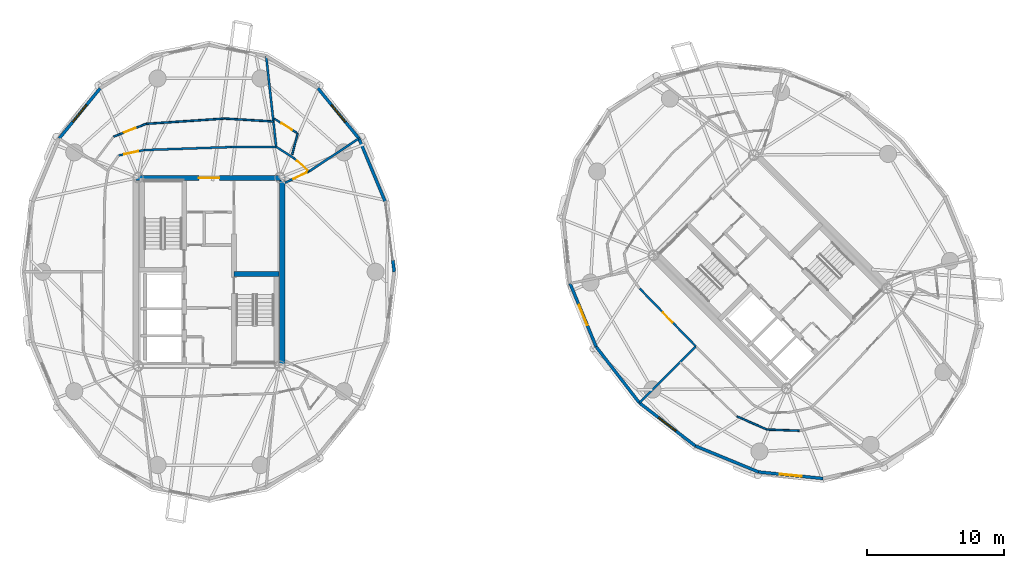
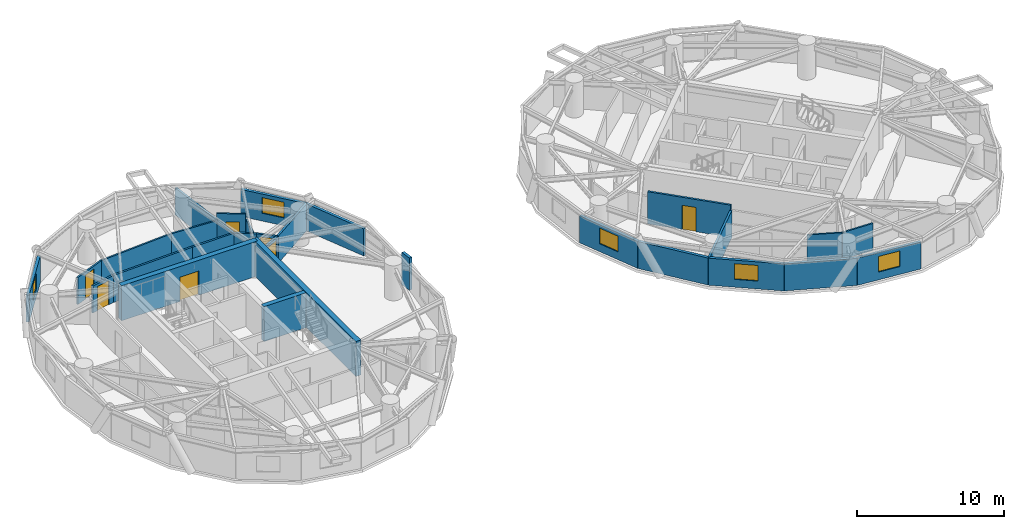
# One storey, part 11 of 17: 29 walls, 7 doors, 5 windows, 12 openings.
"""IFC4 building model written with IfcOpenShell, lengths in metres."""

from ifc_helpers import new_model, si_unit, direction, frame, frame_2d, origin, place, context, subcontext, project, spatial, rectangle, extrude, source, transform, mapped, material, layer, layer_set, type_object, element, fill, save


model = new_model("IFC4")

# Units and contexts
model_context = context("Model", 3, precision=1e-05, world=origin(), true_north=direction((0.0, 1.0)))
body_context = subcontext(model_context, "Body", "Model", "MODEL_VIEW")
ifc_project = project(units=[si_unit("LENGTHUNIT", "METRE"), si_unit("AREAUNIT", "SQUARE_METRE"), si_unit("VOLUMEUNIT", "CUBIC_METRE"), si_unit("PLANEANGLEUNIT", "RADIAN"), si_unit("MASSUNIT", "GRAM", prefix="KILO")], contexts=[model_context])

# Site, building, storey
site_placement = place(None, origin())
site = spatial("IfcSite", under=ifc_project, at=site_placement, CompositionType="ELEMENT")
building_placement = place(site_placement, origin())
building = spatial("IfcBuilding", under=site, at=building_placement, Name="Cununo Teusaquillo Station Towers", CompositionType="ELEMENT")
storey_placement = place(building_placement, frame((0.0, 0.0, 174.8798828125)))
storey = spatial("IfcBuildingStorey", under=building, at=storey_placement, Name="L55", CompositionType="ELEMENT", Elevation=174.8798828125)

# Walls
ifc_material_1 = material(Name="Concrete C50/60", Category="concrete")
ifc_layer_1 = layer(ifc_material_1, 0.35009765625)
ifc_layer_set_1 = layer_set([ifc_layer_1], Name="Concrete C50/60")
wall_type_1 = type_object("IfcWallType", Name="WL-CORE-350", PredefinedType="SHEAR", material=ifc_layer_set_1)
wall_1_placement = place(storey_placement, frame((18.31494140625, 24.344970703125, 0.0), z_axis=(0.0, 0.0, 1.0), x_axis=(1.0, 0.0, 0.0)))
element("IfcWall", 1, at=wall_1_placement, inside=storey, type_object=wall_type_1, Name="L55 Tower A Core Shear Wall ST2N", PredefinedType="SHEAR", context=body_context, shape_type="SweptSolid", body=[
    extrude(rectangle(XDim=3.28515625, YDim=0.35009765625, at=frame_2d((1.642578125, 0.0))), origin(), (0.0, 0.0, 1.0), 2.91015625),
])
ifc_material_2 = material(Name="Concrete C50/60", Category="concrete")
ifc_layer_2 = layer(ifc_material_2, 0.39990234375)
ifc_layer_set_2 = layer_set([ifc_layer_2], Name="Concrete C50/60")
wall_type_2 = type_object("IfcWallType", Name="WL-CORE-400", PredefinedType="SHEAR", material=ifc_layer_set_2)
wall_2_placement = place(storey_placement, frame((21.85009765625, 17.449951171875, 0.0), z_axis=(0.0, 0.0, 1.0), x_axis=(0.0, 1.0, 0.0)))
element("IfcWall", 2, at=wall_2_placement, inside=storey, type_object=wall_type_2, Name="L55 Tower A Core Shear Wall E", PredefinedType="SHEAR", context=body_context, shape_type="SweptSolid", body=[
    extrude(rectangle(XDim=14.10009765625, YDim=0.39990234375, at=frame_2d((7.050048828125, 0.0))), origin(), (0.0, 0.0, 1.0), 2.91015625),
])

# Wall, opening, door
wall_3_placement = place(storey_placement, frame((11.14990234375, 31.35009765625, 0.0), z_axis=(0.0, 0.0, 1.0), x_axis=(1.0, 0.0, 0.0)))
wall_3 = element("IfcWall", 3, at=wall_3_placement, inside=storey, type_object=wall_type_2, Name="L55 Tower A Core Shear Wall N", PredefinedType="SHEAR", context=body_context, shape_type="SweptSolid", body=[
    extrude(rectangle(XDim=10.7001953125, YDim=0.39990234375, at=frame_2d((5.35009765625, 0.0))), origin(), (0.0, 0.0, 1.0), 2.91015625),
])
shared_shape_1 = source(origin(), body_context, "Body", "SweptSolid", [
    extrude(rectangle(XDim=1.5, YDim=2.02001953125, at=frame_2d((0.75, 1.010009765625))), frame((0.0, 0.2099609375, 0.0), z_axis=(0.0, -1.0, 0.0), x_axis=(1.0, 0.0, 0.0)), (0.0, 0.0, 1.0), 0.419921875),
])
opening_1_placement = place(wall_3_placement, frame((4.60009765625, 0.0, 0.0)))
opening_1 = element("IfcOpeningElement", 4, at=opening_1_placement, cuts=wall_3, Name="Opening D-LB1", PredefinedType="OPENING", context=body_context, shape_type="MappedRepresentation", body=[
    mapped(shared_shape_1, transform((0.0, 0.0, 0.0), x_axis=(1.0, 0.0, 0.0), y_axis=(0.0, 1.0, 0.0), z_axis=(0.0, 0.0, 1.0), scale=1.0)),
])
ifc_material_3 = material(Name="Galvanised fire-rated hollow steel door assembly", Category="steel")
door_type_1 = type_object("IfcDoorType", Name="DR-LOBBY-1500", OperationType="DOUBLE_DOOR_SINGLE_SWING", PredefinedType="DOOR", material=ifc_material_3)
shared_shape_2 = source(origin(), body_context, "Body", "SweptSolid", [
    extrude(rectangle(XDim=1.5, YDim=2.02001953125, at=frame_2d((0.75, 1.010009765625))), frame((0.0, 0.02490234375, 0.0), z_axis=(0.0, -1.0, 0.0), x_axis=(1.0, 0.0, 0.0)), (0.0, 0.0, 1.0), 0.050048828125),
])
door_1_placement = place(opening_1_placement, origin())
door_1 = element("IfcDoor", 5, at=door_1_placement, inside=storey, type_object=door_type_1, Name="L55 Tower A North Core Lift Lobby Door", OperationType="DOUBLE_DOOR_SINGLE_SWING", OverallHeight=2.02001953125, OverallWidth=1.5, PredefinedType="DOOR", context=body_context, shape_type="MappedRepresentation", body=[
    mapped(shared_shape_2, transform((0.0, 0.0, 0.0), x_axis=(1.0, 0.0, 0.0), y_axis=(0.0, 1.0, 0.0), z_axis=(0.0, 0.0, 1.0), scale=1.0)),
])
fill(opening_1, door_1)

# Walls
ifc_material_4 = material(Name="Precast concrete C40/50", Category="concrete")
ifc_layer_3 = layer(ifc_material_4, 0.219970703125)
ifc_layer_set_3 = layer_set([ifc_layer_3], Name="Precast concrete C40/50")
wall_type_3 = type_object("IfcWallType", Name="WL-EXT-220", PredefinedType="SOLIDWALL", material=ifc_layer_set_3)
wall_4_placement = place(storey_placement, frame((29.91943359375, 25.36279296875, 0.0), z_axis=(0.0, 0.0, 1.0), x_axis=(0.128247365719, -0.991742211054, 0.0)))
element("IfcWall", 6, at=wall_4_placement, inside=storey, type_object=wall_type_3, Name="L55 Tower A Column Pier Cladding Wall C00-PB", PredefinedType="SOLIDWALL", context=body_context, shape_type="SweptSolid", body=[
    extrude(rectangle(XDim=0.869873046875, YDim=0.219970703125, at=frame_2d((0.43505859375, 0.0))), origin(), (0.0, 0.0, 1.0), 2.675048828125),
])
wall_5_placement = place(storey_placement, frame((27.44677734375, 34.239501953125, 0.0), z_axis=(0.0, 0.0, 1.0), x_axis=(0.384144094086, -0.923273152961, 0.0)))
element("IfcWall", 7, at=wall_5_placement, inside=storey, type_object=wall_type_3, Name="L55 Tower A Exterior Facade Wall C01", PredefinedType="SOLIDWALL", context=body_context, shape_type="SweptSolid", body=[
    extrude(rectangle(XDim=5.0029296875, YDim=0.219970703125, at=frame_2d((2.50146484375, 0.0))), origin(), (0.0, 0.0, 1.0), 2.2451171875),
])

# Wall, opening, window
wall_6_placement = place(storey_placement, frame((24.453369140625, 37.905517578125, 0.0), z_axis=(0.0, 0.0, 1.0), x_axis=(0.632470615287, -0.774584353572, 0.0)))
wall_6 = element("IfcWall", 8, at=wall_6_placement, inside=storey, type_object=wall_type_3, Name="L55 Tower A Exterior Facade Wall C02", PredefinedType="SOLIDWALL", context=body_context, shape_type="SweptSolid", body=[
    extrude(rectangle(XDim=4.73291015625, YDim=0.219970703125, at=frame_2d((2.366455078125, 0.0))), origin(), (0.0, 0.0, 1.0), 2.2451171875),
])
shared_shape_3 = source(origin(), body_context, "Body", "SweptSolid", [
    extrude(rectangle(XDim=1.60009765625, YDim=1.300048828125, at=frame_2d((0.800048828125, 0.64990234375))), frame((0.0, 0.119873046875, 0.0), z_axis=(0.0, -1.0, 0.0), x_axis=(1.0, 0.0, 0.0)), (0.0, 0.0, 1.0), 0.239990234375),
])
opening_2_placement = place(wall_6_placement, frame((1.56591796875, 0.0, 0.64990234375)))
opening_2 = element("IfcOpeningElement", 9, at=opening_2_placement, cuts=wall_6, Name="Opening WN-03", PredefinedType="OPENING", context=body_context, shape_type="MappedRepresentation", body=[
    mapped(shared_shape_3, transform((0.0, 0.0, 0.0), x_axis=(1.0, 0.0, 0.0), y_axis=(0.0, 1.0, 0.0), z_axis=(0.0, 0.0, 1.0), scale=1.0)),
])
ifc_material_5 = material(Name="Ceramic-fritted dark low-E double glazing", Category="glass")
window_type = type_object("IfcWindowType", Name="WIN-CORN-1600", PartitioningType="SINGLE_PANEL", PredefinedType="WINDOW", material=ifc_material_5)
shared_shape_4 = source(origin(), body_context, "Body", "SweptSolid", [
    extrude(rectangle(XDim=1.60009765625, YDim=1.300048828125, at=frame_2d((0.800048828125, 0.64990234375))), frame((0.0, 0.030029296875, 0.0), z_axis=(0.0, -1.0, 0.0), x_axis=(1.0, 0.0, 0.0)), (0.0, 0.0, 1.0), 0.06005859375),
])
window_1_placement = place(opening_2_placement, origin())
window_1 = element("IfcWindow", 10, at=window_1_placement, inside=storey, type_object=window_type, Name="L55 Tower A Facade Window C02", OverallHeight=1.300048828125, OverallWidth=1.60009765625, PartitioningType="SINGLE_PANEL", PredefinedType="WINDOW", context=body_context, shape_type="MappedRepresentation", body=[
    mapped(shared_shape_4, transform((0.0, 0.0, 0.0), x_axis=(1.0, 0.0, 0.0), y_axis=(0.0, 1.0, 0.0), z_axis=(0.0, 0.0, 1.0), scale=1.0)),
])
fill(opening_2, window_1)

wall_7_placement = place(storey_placement, frame((5.55322265625, 34.239501953125, 0.0), z_axis=(0.0, 0.0, 1.0), x_axis=(0.632470615287, 0.774584353572, 0.0)))
wall_7 = element("IfcWall", 11, at=wall_7_placement, inside=storey, type_object=wall_type_3, Name="L55 Tower A Exterior Facade Wall C07", PredefinedType="SOLIDWALL", context=body_context, shape_type="SweptSolid", body=[
    extrude(rectangle(XDim=4.73291015625, YDim=0.219970703125, at=frame_2d((2.366455078125, 0.0))), origin(), (0.0, 0.0, 1.0), 2.2451171875),
])
opening_3_placement = place(wall_7_placement, frame((1.56591796875, 0.0, 0.64990234375)))
opening_3 = element("IfcOpeningElement", 12, at=opening_3_placement, cuts=wall_7, Name="Opening WN-03", PredefinedType="OPENING", context=body_context, shape_type="MappedRepresentation", body=[
    mapped(shared_shape_3, transform((0.0, 0.0, 0.0), x_axis=(1.0, 0.0, 0.0), y_axis=(0.0, 1.0, 0.0), z_axis=(0.0, 0.0, 1.0), scale=1.0)),
])
window_2_placement = place(opening_3_placement, origin())
window_2 = element("IfcWindow", 13, at=window_2_placement, inside=storey, type_object=window_type, Name="L55 Tower A Facade Window C07", OverallHeight=1.300048828125, OverallWidth=1.60009765625, PartitioningType="SINGLE_PANEL", PredefinedType="WINDOW", context=body_context, shape_type="MappedRepresentation", body=[
    mapped(shared_shape_4, transform((0.0, 0.0, 0.0), x_axis=(1.0, 0.0, 0.0), y_axis=(0.0, 1.0, 0.0), z_axis=(0.0, 0.0, 1.0), scale=1.0)),
])
fill(opening_3, window_2)

wall_8_placement = place(storey_placement, frame((44.77978515625, 19.02099609375, 0.0), z_axis=(0.0, 0.0, 1.0), x_axis=(-0.381196434348, 0.924494066201, 0.0)))
wall_8 = element("IfcWall", 14, at=wall_8_placement, inside=storey, type_object=wall_type_3, Name="L55 Tower B Exterior Facade Wall C08", PredefinedType="SOLIDWALL", context=body_context, shape_type="SweptSolid", body=[
    extrude(rectangle(XDim=5.003173828125, YDim=0.219970703125, at=frame_2d((2.50146484375, 0.0))), origin(), (0.0, 0.0, 1.0), 2.2451171875),
])
opening_4_placement = place(wall_8_placement, frame((1.701904296875, 0.0, 0.64990234375)))
opening_4 = element("IfcOpeningElement", 15, at=opening_4_placement, cuts=wall_8, Name="Opening WN-03", PredefinedType="OPENING", context=body_context, shape_type="MappedRepresentation", body=[
    mapped(shared_shape_3, transform((0.0, 0.0, 0.0), x_axis=(1.0, 0.0, 0.0), y_axis=(0.0, 1.0, 0.0), z_axis=(0.0, 0.0, 1.0), scale=1.0)),
])
window_3_placement = place(opening_4_placement, origin())
window_3 = element("IfcWindow", 16, at=window_3_placement, inside=storey, type_object=window_type, Name="L55 Tower B Facade Window C08", OverallHeight=1.300048828125, OverallWidth=1.60009765625, PartitioningType="SINGLE_PANEL", PredefinedType="WINDOW", context=body_context, shape_type="MappedRepresentation", body=[
    mapped(shared_shape_4, transform((0.0, 0.0, 0.0), x_axis=(1.0, 0.0, 0.0), y_axis=(0.0, 1.0, 0.0), z_axis=(0.0, 0.0, 1.0), scale=1.0)),
])
fill(opening_4, window_3)

# Wall
wall_9_placement = place(storey_placement, frame((47.93212890625, 14.93212890625, 0.0), z_axis=(0.0, 0.0, 1.0), x_axis=(-0.610569654715, 0.791962560189, 0.0)))
element("IfcWall", 17, at=wall_9_placement, inside=storey, type_object=wall_type_3, Name="L55 Tower B Exterior Facade Wall C09", PredefinedType="SOLIDWALL", context=body_context, shape_type="SweptSolid", body=[
    extrude(rectangle(XDim=5.162841796875, YDim=0.219970703125, at=frame_2d((2.58154296875, 0.0))), origin(), (0.0, 0.0, 1.0), 2.2451171875),
])

# Wall, opening, window
wall_10_placement = place(storey_placement, frame((52.02099609375, 11.77978515625, 0.0), z_axis=(0.0, 0.0, 1.0), x_axis=(-0.791962560189, 0.610569654715, 0.0)))
wall_10 = element("IfcWall", 18, at=wall_10_placement, inside=storey, type_object=wall_type_3, Name="L55 Tower B Exterior Facade Wall C10", PredefinedType="SOLIDWALL", context=body_context, shape_type="SweptSolid", body=[
    extrude(rectangle(XDim=5.162841796875, YDim=0.219970703125, at=frame_2d((2.58154296875, 0.0))), origin(), (0.0, 0.0, 1.0), 2.2451171875),
])
opening_5_placement = place(wall_10_placement, frame((1.781982421875, 0.0, 0.64990234375)))
opening_5 = element("IfcOpeningElement", 19, at=opening_5_placement, cuts=wall_10, Name="Opening WN-03", PredefinedType="OPENING", context=body_context, shape_type="MappedRepresentation", body=[
    mapped(shared_shape_3, transform((0.0, 0.0, 0.0), x_axis=(1.0, 0.0, 0.0), y_axis=(0.0, 1.0, 0.0), z_axis=(0.0, 0.0, 1.0), scale=1.0)),
])
window_4_placement = place(opening_5_placement, origin())
window_4 = element("IfcWindow", 20, at=window_4_placement, inside=storey, type_object=window_type, Name="L55 Tower B Facade Window C10", OverallHeight=1.300048828125, OverallWidth=1.60009765625, PartitioningType="SINGLE_PANEL", PredefinedType="WINDOW", context=body_context, shape_type="MappedRepresentation", body=[
    mapped(shared_shape_4, transform((0.0, 0.0, 0.0), x_axis=(1.0, 0.0, 0.0), y_axis=(0.0, 1.0, 0.0), z_axis=(0.0, 0.0, 1.0), scale=1.0)),
])
fill(opening_5, window_4)

# Wall
wall_11_placement = place(storey_placement, frame((56.646484375, 9.87255859375, 0.0), z_axis=(0.0, 0.0, 1.0), x_axis=(-0.924494066201, 0.381196434348, 0.0)))
element("IfcWall", 21, at=wall_11_placement, inside=storey, type_object=wall_type_3, Name="L55 Tower B Exterior Facade Wall C11", PredefinedType="SOLIDWALL", context=body_context, shape_type="SweptSolid", body=[
    extrude(rectangle(XDim=5.003173828125, YDim=0.219970703125, at=frame_2d((2.50146484375, 0.0))), origin(), (0.0, 0.0, 1.0), 2.2451171875),
])

# Wall, opening, window
wall_12_placement = place(storey_placement, frame((61.355224609375, 9.397216796875, 0.0), z_axis=(0.0, 0.0, 1.0), x_axis=(-0.994943283129, 0.100438356004, 0.0)))
wall_12 = element("IfcWall", 22, at=wall_12_placement, inside=storey, type_object=wall_type_3, Name="L55 Tower B Exterior Facade Wall C12", PredefinedType="SOLIDWALL", context=body_context, shape_type="SweptSolid", body=[
    extrude(rectangle(XDim=4.732666015625, YDim=0.219970703125, at=frame_2d((2.3662109375, 0.0))), origin(), (0.0, 0.0, 1.0), 2.2451171875),
])
opening_6_placement = place(wall_12_placement, frame((1.56591796875, 0.0, 0.64990234375)))
opening_6 = element("IfcOpeningElement", 23, at=opening_6_placement, cuts=wall_12, Name="Opening WN-03", PredefinedType="OPENING", context=body_context, shape_type="MappedRepresentation", body=[
    mapped(shared_shape_3, transform((0.0, 0.0, 0.0), x_axis=(1.0, 0.0, 0.0), y_axis=(0.0, 1.0, 0.0), z_axis=(0.0, 0.0, 1.0), scale=1.0)),
])
window_5_placement = place(opening_6_placement, origin())
window_5 = element("IfcWindow", 24, at=window_5_placement, inside=storey, type_object=window_type, Name="L55 Tower B Facade Window C12", OverallHeight=1.300048828125, OverallWidth=1.60009765625, PartitioningType="SINGLE_PANEL", PredefinedType="WINDOW", context=body_context, shape_type="MappedRepresentation", body=[
    mapped(shared_shape_4, transform((0.0, 0.0, 0.0), x_axis=(1.0, 0.0, 0.0), y_axis=(0.0, 1.0, 0.0), z_axis=(0.0, 0.0, 1.0), scale=1.0)),
])
fill(opening_6, window_5)

# Wall
ifc_material_6 = material(Name="Fire-rated gypsum plasterboard partition assembly", Category="gypsum")
ifc_layer_4 = layer(ifc_material_6, 0.125)
ifc_layer_set_4 = layer_set([ifc_layer_4], Name="Fire-rated gypsum plasterboard partition assembly")
wall_type_4 = type_object("IfcWallType", Name="WL-PART-125", PredefinedType="PARTITIONING", material=ifc_layer_set_4)
wall_13_placement = place(storey_placement, frame((22.573974609375, 33.066650390625, 0.0), z_axis=(0.0, 0.0, 1.0), x_axis=(0.251728683558, 0.967797845562, 0.0)))
element("IfcWall", 25, at=wall_13_placement, inside=storey, type_object=wall_type_4, Name="L55 Tower A S01 En-suite Side Wall", PredefinedType="PARTITIONING", context=body_context, shape_type="SweptSolid", body=[
    extrude(rectangle(XDim=1.591552734375, YDim=0.125, at=frame_2d((0.7958984375, 0.0))), origin(), (0.0, 0.0, 1.0), 2.2451171875),
])

# Wall, opening, door
wall_14_placement = place(storey_placement, frame((22.922119140625, 34.639892578125, 0.0), z_axis=(0.0, 0.0, 1.0), x_axis=(-0.846020986113, 0.533149595382, 0.0)))
wall_14 = element("IfcWall", 26, at=wall_14_placement, inside=storey, type_object=wall_type_4, Name="L55 Tower A S01 En-suite Back Wall", PredefinedType="PARTITIONING", context=body_context, shape_type="SweptSolid", body=[
    extrude(rectangle(XDim=1.98291015625, YDim=0.125, at=frame_2d((0.991455078125, 0.0))), origin(), (0.0, 0.0, 1.0), 2.675048828125),
])
shared_shape_5 = source(origin(), body_context, "Body", "SweptSolid", [
    extrude(rectangle(XDim=0.89990234375, YDim=2.0048828125, at=frame_2d((0.449951171875, 1.00244140625))), frame((0.0, 0.072509765625, 0.0), z_axis=(0.0, -1.0, 0.0), x_axis=(1.0, 0.0, 0.0)), (0.0, 0.0, 1.0), 0.14501953125),
])
opening_7_placement = place(wall_14_placement, frame((0.43603515625, 0.0, 0.0)))
opening_7 = element("IfcOpeningElement", 27, at=opening_7_placement, cuts=wall_14, Name="Opening D-IN1", PredefinedType="OPENING", context=body_context, shape_type="MappedRepresentation", body=[
    mapped(shared_shape_5, transform((0.0, 0.0, 0.0), x_axis=(1.0, 0.0, 0.0), y_axis=(0.0, 1.0, 0.0), z_axis=(0.0, 0.0, 1.0), scale=1.0)),
])
ifc_material_7 = material(Name="Acoustic solid-core hardwood leaf assembly", Category="wood")
door_type_2 = type_object("IfcDoorType", Name="DR-INT-900", OperationType="NOTDEFINED", PredefinedType="DOOR", material=ifc_material_7)
shared_shape_6 = source(origin(), body_context, "Body", "SweptSolid", [
    extrude(rectangle(XDim=0.89990234375, YDim=2.0048828125, at=frame_2d((0.449951171875, 1.00244140625))), frame((0.0, 0.02490234375, 0.0), z_axis=(0.0, -1.0, 0.0), x_axis=(1.0, 0.0, 0.0)), (0.0, 0.0, 1.0), 0.050048828125),
])
door_2_placement = place(opening_7_placement, origin())
door_2 = element("IfcDoor", 28, at=door_2_placement, inside=storey, type_object=door_type_2, Name="L55 Tower A S01 En-suite Bathroom Door", OperationType="SINGLE_SWING_RIGHT", OverallHeight=2.0048828125, OverallWidth=0.89990234375, PredefinedType="DOOR", context=body_context, shape_type="MappedRepresentation", body=[
    mapped(shared_shape_6, transform((0.0, 0.0, 0.0), x_axis=(1.0, 0.0, 0.0), y_axis=(0.0, 1.0, 0.0), z_axis=(0.0, 0.0, 1.0), scale=1.0)),
])
fill(opening_7, door_2)

# Walls
wall_15_placement = place(storey_placement, frame((21.2001953125, 35.47900390625, 0.0), z_axis=(0.0, 0.0, 1.0), x_axis=(-0.998186807544, 0.060192169299, 0.0)))
element("IfcWall", 29, at=wall_15_placement, inside=storey, type_object=wall_type_4, Name="L55 Tower A Private Butler & Banquet Hall Concentric Partition Wall C04", PredefinedType="PARTITIONING", context=body_context, shape_type="SweptSolid", body=[
    extrude(rectangle(XDim=3.552978515625, YDim=0.125, at=frame_2d((1.7763671875, 0.0))), origin(), (0.0, 0.0, 1.0), 2.2451171875),
])
wall_16_placement = place(storey_placement, frame((17.653564453125, 35.69287109375, 0.0), z_axis=(0.0, 0.0, 1.0), x_axis=(-0.997772764399, -0.06670465219, 0.0)))
element("IfcWall", 30, at=wall_16_placement, inside=storey, type_object=wall_type_4, Name="L55 Tower A Private Butler & Banquet Hall Concentric Partition Wall C05", PredefinedType="PARTITIONING", context=body_context, shape_type="SweptSolid", body=[
    extrude(rectangle(XDim=5.760986328125, YDim=0.125, at=frame_2d((2.88037109375, 0.0))), origin(), (0.0, 0.0, 1.0), 2.2451171875),
])

# Wall, opening, door
wall_17_placement = place(storey_placement, frame((11.905517578125, 35.30859375, 0.0), z_axis=(0.0, 0.0, 1.0), x_axis=(-0.930011423211, -0.367530614639, 0.0)))
wall_17 = element("IfcWall", 31, at=wall_17_placement, inside=storey, type_object=wall_type_4, Name="L55 Tower A Private Butler & Banquet Hall Concentric Partition Wall C06", PredefinedType="PARTITIONING", context=body_context, shape_type="SweptSolid", body=[
    extrude(rectangle(XDim=2.564697265625, YDim=0.125, at=frame_2d((1.2822265625, 0.0))), origin(), (0.0, 0.0, 1.0), 2.2451171875),
])
opening_8_placement = place(wall_17_placement, frame((0.832275390625, 0.0, 0.0)))
opening_8 = element("IfcOpeningElement", 32, at=opening_8_placement, cuts=wall_17, Name="Opening D-IN1", PredefinedType="OPENING", context=body_context, shape_type="MappedRepresentation", body=[
    mapped(shared_shape_5, transform((0.0, 0.0, 0.0), x_axis=(1.0, 0.0, 0.0), y_axis=(0.0, 1.0, 0.0), z_axis=(0.0, 0.0, 1.0), scale=1.0)),
])
door_3_placement = place(opening_8_placement, origin())
door_3 = element("IfcDoor", 33, at=door_3_placement, inside=storey, type_object=door_type_2, Name="L55 Tower A Private Butler & Banquet Hall Connecting Door", OperationType="SINGLE_SWING_RIGHT", OverallHeight=2.0048828125, OverallWidth=0.89990234375, PredefinedType="DOOR", context=body_context, shape_type="MappedRepresentation", body=[
    mapped(shared_shape_6, transform((0.0, 0.0, 0.0), x_axis=(1.0, 0.0, 0.0), y_axis=(0.0, 1.0, 0.0), z_axis=(0.0, 0.0, 1.0), scale=1.0)),
])
fill(opening_8, door_3)

# Walls
wall_18_placement = place(storey_placement, frame((55.068603515625, 13.935546875, 0.0), z_axis=(0.0, 0.0, 1.0), x_axis=(0.915625735972, -0.402031729626, 0.0)))
element("IfcWall", 34, at=wall_18_placement, inside=storey, type_object=wall_type_4, Name="L55 Tower B Grand Cordillera Club Salon Concentric Partition Wall C11", PredefinedType="PARTITIONING", context=body_context, shape_type="SweptSolid", body=[
    extrude(rectangle(XDim=2.396240234375, YDim=0.125, at=frame_2d((1.1982421875, 0.0))), origin(), (0.0, 0.0, 1.0), 2.2451171875),
])
wall_19_placement = place(storey_placement, frame((57.2626953125, 12.97216796875, 0.0), z_axis=(0.0, 0.0, 1.0), x_axis=(0.999399614086, -0.034646953192, 0.0)))
element("IfcWall", 35, at=wall_19_placement, inside=storey, type_object=wall_type_4, Name="L55 Tower B Grand Cordillera Club Salon Concentric Partition Wall C12", PredefinedType="PARTITIONING", context=body_context, shape_type="SweptSolid", body=[
    extrude(rectangle(XDim=2.36767578125, YDim=0.125, at=frame_2d((1.183837890625, 0.0))), origin(), (0.0, 0.0, 1.0), 2.2451171875),
])

# Wall, opening, door
ifc_material_8 = material(Name="Fire-rated gypsum plasterboard partition assembly", Category="gypsum")
ifc_layer_5 = layer(ifc_material_8, 0.14990234375)
ifc_layer_set_5 = layer_set([ifc_layer_5], Name="Fire-rated gypsum plasterboard partition assembly")
wall_type_5 = type_object("IfcWallType", Name="WL-PART-150", PredefinedType="PARTITIONING", material=ifc_layer_set_5)
wall_20_placement = place(storey_placement, frame((23.794189453125, 31.82568359375, 0.0), z_axis=(0.0, 0.0, 1.0), x_axis=(-0.745254554732, 0.666780060178, 0.0)))
wall_20 = element("IfcWall", 36, at=wall_20_placement, inside=storey, type_object=wall_type_5, Name="L55 Tower A Corridor Ring Wall C02", PredefinedType="PARTITIONING", context=body_context, shape_type="SweptSolid", body=[
    extrude(rectangle(XDim=1.446533203125, YDim=0.14990234375, at=frame_2d((0.72314453125, 0.0))), origin(), (0.0, 0.0, 1.0), 2.2451171875),
])
shared_shape_7 = source(origin(), body_context, "Body", "SweptSolid", [
    extrude(rectangle(XDim=1.050048828125, YDim=2.014892578125, at=frame_2d((0.52490234375, 1.00732421875))), frame((0.0, 0.0849609375, 0.0), z_axis=(0.0, -1.0, 0.0), x_axis=(1.0, 0.0, 0.0)), (0.0, 0.0, 1.0), 0.169921875),
])
opening_9_placement = place(wall_20_placement, frame((0.1201171875, 0.0, 0.0)))
opening_9 = element("IfcOpeningElement", 37, at=opening_9_placement, cuts=wall_20, Name="Opening D-SU1", PredefinedType="OPENING", context=body_context, shape_type="MappedRepresentation", body=[
    mapped(shared_shape_7, transform((0.0, 0.0, 0.0), x_axis=(1.0, 0.0, 0.0), y_axis=(0.0, 1.0, 0.0), z_axis=(0.0, 0.0, 1.0), scale=1.0)),
])
ifc_material_9 = material(Name="Acoustic solid-core hardwood leaf assembly", Category="wood")
door_type_3 = type_object("IfcDoorType", Name="DR-SUITE-1050", OperationType="NOTDEFINED", PredefinedType="DOOR", material=ifc_material_9)
shared_shape_8 = source(origin(), body_context, "Body", "SweptSolid", [
    extrude(rectangle(XDim=1.050048828125, YDim=2.014892578125, at=frame_2d((0.52490234375, 1.00732421875))), frame((0.0, 0.02490234375, 0.0), z_axis=(0.0, -1.0, 0.0), x_axis=(1.0, 0.0, 0.0)), (0.0, 0.0, 1.0), 0.050048828125),
])
door_4_placement = place(opening_9_placement, origin())
door_4 = element("IfcDoor", 38, at=door_4_placement, inside=storey, type_object=door_type_3, Name="L55 Tower A Royal Teusaquillo Hotel Suite Entrance Door", OperationType="SINGLE_SWING_LEFT", OverallHeight=2.014892578125, OverallWidth=1.050048828125, PredefinedType="DOOR", context=body_context, shape_type="MappedRepresentation", body=[
    mapped(shared_shape_8, transform((0.0, 0.0, 0.0), x_axis=(1.0, 0.0, 0.0), y_axis=(0.0, 1.0, 0.0), z_axis=(0.0, 0.0, 1.0), scale=1.0)),
])
fill(opening_9, door_4)

# Walls
wall_21_placement = place(storey_placement, frame((22.716064453125, 32.790283203125, 0.0), z_axis=(0.0, 0.0, 1.0), x_axis=(-0.842988828391, 0.537931069197, 0.0)))
element("IfcWall", 39, at=wall_21_placement, inside=storey, type_object=wall_type_5, Name="L55 Tower A Corridor Ring Wall C03", PredefinedType="PARTITIONING", context=body_context, shape_type="SweptSolid", body=[
    extrude(rectangle(XDim=1.555908203125, YDim=0.14990234375, at=frame_2d((0.77783203125, 0.0))), origin(), (0.0, 0.0, 1.0), 2.2451171875),
])
wall_22_placement = place(storey_placement, frame((21.404541015625, 33.627197265625, 0.0), z_axis=(0.0, 0.0, 1.0), x_axis=(-0.999985834797, -0.00532261256, 0.0)))
element("IfcWall", 40, at=wall_22_placement, inside=storey, type_object=wall_type_5, Name="L55 Tower A Corridor Ring Wall C04", PredefinedType="PARTITIONING", context=body_context, shape_type="SweptSolid", body=[
    extrude(rectangle(XDim=3.302490234375, YDim=0.14990234375, at=frame_2d((1.6513671875, 0.0))), origin(), (0.0, 0.0, 1.0), 2.2451171875),
])
wall_23_placement = place(storey_placement, frame((18.10205078125, 33.609619140625, 0.0), z_axis=(0.0, 0.0, 1.0), x_axis=(-0.999410320072, -0.034336746121, 0.0)))
element("IfcWall", 41, at=wall_23_placement, inside=storey, type_object=wall_type_5, Name="L55 Tower A Corridor Ring Wall C05", PredefinedType="PARTITIONING", context=body_context, shape_type="SweptSolid", body=[
    extrude(rectangle(XDim=6.363525390625, YDim=0.14990234375, at=frame_2d((3.181640625, 0.0))), origin(), (0.0, 0.0, 1.0), 2.2451171875),
])

# Wall, opening, door
wall_24_placement = place(storey_placement, frame((11.7421875, 33.39111328125, 0.0), z_axis=(0.0, 0.0, 1.0), x_axis=(-0.977853431612, -0.209290865268, 0.0)))
wall_24 = element("IfcWall", 42, at=wall_24_placement, inside=storey, type_object=wall_type_5, Name="L55 Tower A Corridor Ring Wall C06", PredefinedType="PARTITIONING", context=body_context, shape_type="SweptSolid", body=[
    extrude(rectangle(XDim=1.8896484375, YDim=0.14990234375, at=frame_2d((0.94482421875, 0.0))), origin(), (0.0, 0.0, 1.0), 2.2451171875),
])
opening_10_placement = place(wall_24_placement, frame((0.419921875, 0.0, 0.0)))
opening_10 = element("IfcOpeningElement", 43, at=opening_10_placement, cuts=wall_24, Name="Opening D-SU1", PredefinedType="OPENING", context=body_context, shape_type="MappedRepresentation", body=[
    mapped(shared_shape_7, transform((0.0, 0.0, 0.0), x_axis=(1.0, 0.0, 0.0), y_axis=(0.0, 1.0, 0.0), z_axis=(0.0, 0.0, 1.0), scale=1.0)),
])
door_5_placement = place(opening_10_placement, origin())
door_5 = element("IfcDoor", 44, at=door_5_placement, inside=storey, type_object=door_type_3, Name="L55 Tower A Private Butler & Banquet Hall Entrance Door", OperationType="SINGLE_SWING_LEFT", OverallHeight=2.014892578125, OverallWidth=1.050048828125, PredefinedType="DOOR", context=body_context, shape_type="MappedRepresentation", body=[
    mapped(shared_shape_8, transform((0.0, 0.0, 0.0), x_axis=(1.0, 0.0, 0.0), y_axis=(0.0, 1.0, 0.0), z_axis=(0.0, 0.0, 1.0), scale=1.0)),
])
fill(opening_10, door_5)

wall_25_placement = place(storey_placement, frame((47.958984375, 23.276611328125, 0.0), z_axis=(0.0, 0.0, 1.0), x_axis=(0.696422573496, -0.717631938479, 0.0)))
wall_25 = element("IfcWall", 45, at=wall_25_placement, inside=storey, type_object=wall_type_5, Name="L55 Tower B Corridor Ring Wall C09", PredefinedType="PARTITIONING", context=body_context, shape_type="SweptSolid", body=[
    extrude(rectangle(XDim=5.882080078125, YDim=0.14990234375, at=frame_2d((2.94091796875, 0.0))), origin(), (0.0, 0.0, 1.0), 2.675048828125),
])
shared_shape_9 = source(origin(), body_context, "Body", "SweptSolid", [
    extrude(rectangle(XDim=1.0, YDim=2.014892578125, at=frame_2d((0.5, 1.00732421875))), frame((0.0, 0.0849609375, 0.0), z_axis=(0.0, -1.0, 0.0), x_axis=(1.0, 0.0, 0.0)), (0.0, 0.0, 1.0), 0.169921875),
])
opening_11_placement = place(wall_25_placement, frame((2.44091796875, 0.0, 0.0)))
opening_11 = element("IfcOpeningElement", 46, at=opening_11_placement, cuts=wall_25, Name="Opening D-AC1", PredefinedType="OPENING", context=body_context, shape_type="MappedRepresentation", body=[
    mapped(shared_shape_9, transform((0.0, 0.0, 0.0), x_axis=(1.0, 0.0, 0.0), y_axis=(0.0, 1.0, 0.0), z_axis=(0.0, 0.0, 1.0), scale=1.0)),
])
ifc_material_10 = material(Name="Acoustic solid-core hardwood leaf assembly", Category="wood")
door_type_4 = type_object("IfcDoorType", Name="DR-ACC-1000", OperationType="NOTDEFINED", PredefinedType="DOOR", material=ifc_material_10)
shared_shape_10 = source(origin(), body_context, "Body", "SweptSolid", [
    extrude(rectangle(XDim=1.0, YDim=2.014892578125, at=frame_2d((0.5, 1.00732421875))), frame((0.0, 0.02490234375, 0.0), z_axis=(0.0, -1.0, 0.0), x_axis=(1.0, 0.0, 0.0)), (0.0, 0.0, 1.0), 0.050048828125),
])
door_6_placement = place(opening_11_placement, origin())
door_6 = element("IfcDoor", 47, at=door_6_placement, inside=storey, type_object=door_type_4, Name="L55 Tower B Public Accessible Restroom WC Entrance Door", OperationType="SINGLE_SWING_RIGHT", OverallHeight=2.014892578125, OverallWidth=1.0, PredefinedType="DOOR", context=body_context, shape_type="MappedRepresentation", body=[
    mapped(shared_shape_10, transform((0.0, 0.0, 0.0), x_axis=(1.0, 0.0, 0.0), y_axis=(0.0, 1.0, 0.0), z_axis=(0.0, 0.0, 1.0), scale=1.0)),
])
fill(opening_11, door_6)

# Walls
ifc_material_11 = material(Name="Fire-rated gypsum plasterboard partition assembly", Category="gypsum")
ifc_layer_6 = layer(ifc_material_11, 0.159912109375)
ifc_layer_set_6 = layer_set([ifc_layer_6], Name="Fire-rated gypsum plasterboard partition assembly")
wall_type_6 = type_object("IfcWallType", Name="WL-PART-160", PredefinedType="PARTITIONING", material=ifc_layer_set_6)
wall_26_placement = place(storey_placement, frame((23.794189453125, 31.82568359375, 0.0), z_axis=(0.0, 0.0, 1.0), x_axis=(0.834395586857, 0.551166040892, 0.0)))
element("IfcWall", 48, at=wall_26_placement, inside=storey, type_object=wall_type_6, Name="L55 Tower A Radial Suite Partition R01", PredefinedType="PARTITIONING", context=body_context, shape_type="SweptSolid", body=[
    extrude(rectangle(XDim=4.358154296875, YDim=0.159912109375, at=frame_2d((2.17919921875, 0.0))), origin(), (0.0, 0.0, 1.0), 2.2451171875),
])
wall_27_placement = place(storey_placement, frame((21.404541015625, 33.627197265625, 0.0), z_axis=(0.0, 0.0, 1.0), x_axis=(-0.109650118052, 0.993970246844, 0.0)))
element("IfcWall", 49, at=wall_27_placement, inside=storey, type_object=wall_type_6, Name="L55 Tower A Radial Suite Partition R02", PredefinedType="PARTITIONING", context=body_context, shape_type="SweptSolid", body=[
    extrude(rectangle(XDim=6.65283203125, YDim=0.159912109375, at=frame_2d((3.326416015625, 0.0))), origin(), (0.0, 0.0, 1.0), 2.2451171875),
])

# Wall, opening, door
wall_28_placement = place(storey_placement, frame((22.050048828125, 31.0, 0.0), z_axis=(0.0, 0.0, 1.0), x_axis=(0.90383570832, 0.427879670428, 0.0)))
wall_28 = element("IfcWall", 50, at=wall_28_placement, inside=storey, type_object=wall_type_6, Name="L55 Tower A East Salon Corridor Portal Wall NE", PredefinedType="PARTITIONING", context=body_context, shape_type="SweptSolid", body=[
    extrude(rectangle(XDim=1.9296875, YDim=0.159912109375, at=frame_2d((0.96484375, 0.0))), origin(), (0.0, 0.0, 1.0), 2.2451171875),
])
shared_shape_11 = source(origin(), body_context, "Body", "SweptSolid", [
    extrude(rectangle(XDim=1.050048828125, YDim=2.014892578125, at=frame_2d((0.52490234375, 1.00732421875))), frame((0.0, 0.08984375, 0.0), z_axis=(0.0, -1.0, 0.0), x_axis=(1.0, 0.0, 0.0)), (0.0, 0.0, 1.0), 0.179931640625),
])
opening_12_placement = place(wall_28_placement, frame((0.6796875, 0.0, 0.0)))
opening_12 = element("IfcOpeningElement", 51, at=opening_12_placement, cuts=wall_28, Name="Opening D-SU1", PredefinedType="OPENING", context=body_context, shape_type="MappedRepresentation", body=[
    mapped(shared_shape_11, transform((0.0, 0.0, 0.0), x_axis=(1.0, 0.0, 0.0), y_axis=(0.0, 1.0, 0.0), z_axis=(0.0, 0.0, 1.0), scale=1.0)),
])
door_7_placement = place(opening_12_placement, origin())
door_7 = element("IfcDoor", 52, at=door_7_placement, inside=storey, type_object=door_type_3, Name="L55 Tower A East Panorama Sky Salon Door NE", OperationType="SINGLE_SWING_LEFT", OverallHeight=2.014892578125, OverallWidth=1.050048828125, PredefinedType="DOOR", context=body_context, shape_type="MappedRepresentation", body=[
    mapped(shared_shape_8, transform((0.0, 0.0, 0.0), x_axis=(1.0, 0.0, 0.0), y_axis=(0.0, 1.0, 0.0), z_axis=(0.0, 0.0, 1.0), scale=1.0)),
])
fill(opening_12, door_7)

# Wall
wall_29_placement = place(storey_placement, frame((52.055419921875, 19.055419921875, 0.0), z_axis=(0.0, 0.0, 1.0), x_axis=(-0.707106781187, -0.707106781187, 0.0)))
element("IfcWall", 53, at=wall_29_placement, inside=storey, type_object=wall_type_6, Name="L55 Tower B Radial Suite Partition R04", PredefinedType="PARTITIONING", context=body_context, shape_type="SweptSolid", body=[
    extrude(rectangle(XDim=5.811279296875, YDim=0.159912109375, at=frame_2d((2.90576171875, 0.0))), origin(), (0.0, 0.0, 1.0), 2.2451171875),
])

save(model, "model.ifc")
